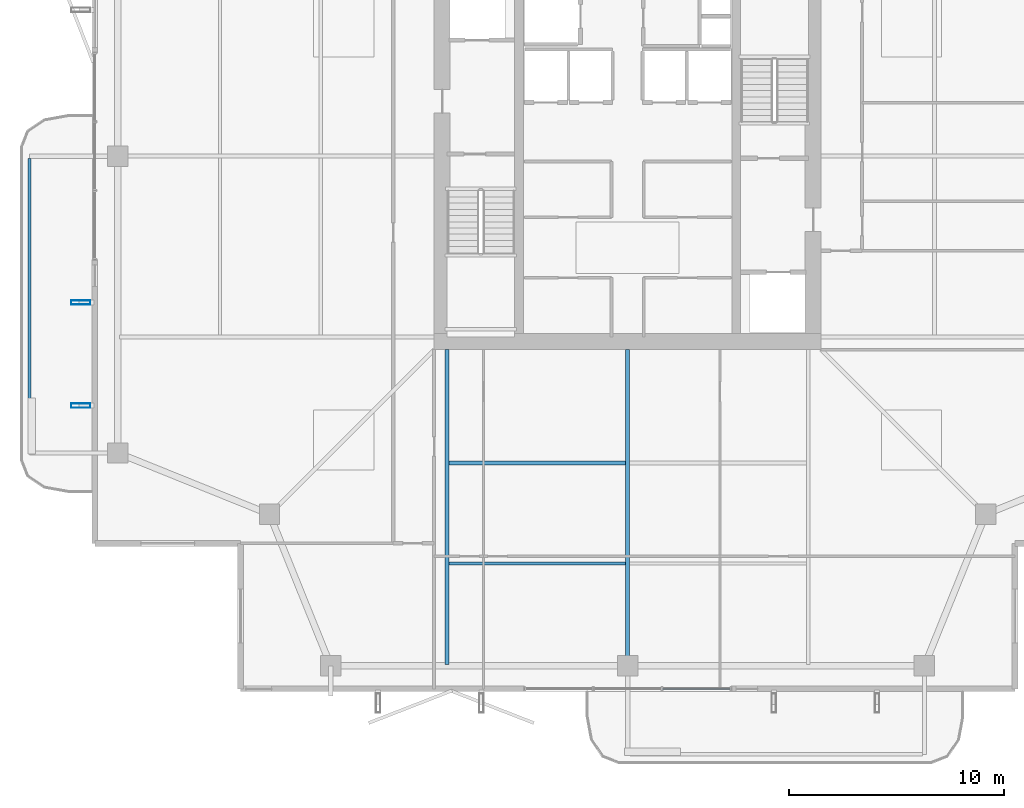
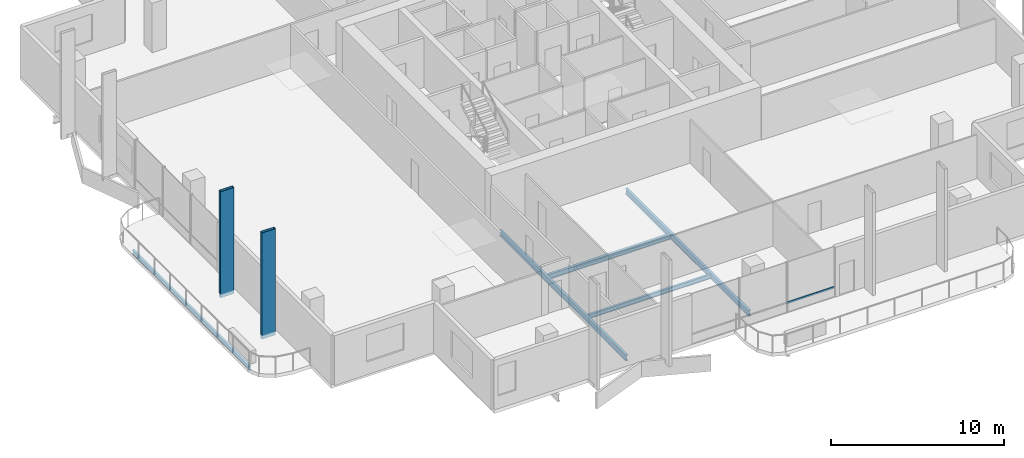
# One storey, part 3 of 25: 5 beams, 3 members, 1 element without a shape of its own.
"""IFC4 building model written with IfcOpenShell, lengths in metres."""

import ifcopenshell
import ifcopenshell.guid

model = None  # the IFC model being written
_history = None  # IfcOwnerHistory: only IFC2X3 demands one
_inside = {}  # id of a spatial element -> (the spatial element, [elements in it])
_under = {}  # id of a project, library or spatial element -> (it, [spatial elements below it])
_declared = {}  # id of a project -> (the project, [libraries it declares])
_typed = {}  # id of a type object -> (the type object, [elements of that type])
_made_of = {}  # id of a material, layer set ... -> (it, [elements and type objects made of it])


def new_model(schema):
    """Start an empty IFC model of exactly this schema.

    Asked for "IFC4X3", IfcOpenShell would pick the latest addendum, in which some entities
    have other attributes; the version numbers below select the first issue.
    IFC2X3 requires an IfcOwnerHistory on every rooted entity: one is made here for all.
    """
    global model, _history
    if schema == "IFC4X3":
        model = ifcopenshell.file(schema_version=(4, 3, 0, 0))
    else:
        model = ifcopenshell.file(schema=schema)
    _inside.clear()
    _under.clear()
    _declared.clear()
    _typed.clear()
    _made_of.clear()
    _history = None
    if model.schema == "IFC2X3":
        org = make("IfcOrganization", Name="unknown")
        user = make(
            "IfcPersonAndOrganization",
            ThePerson=make("IfcPerson", FamilyName="unknown"),
            TheOrganization=org,
        )
        app = make(
            "IfcApplication",
            ApplicationDeveloper=org,
            Version="unknown",
            ApplicationFullName="unknown",
            ApplicationIdentifier="unknown",
        )
        _history = make(
            "IfcOwnerHistory",
            OwningUser=user,
            OwningApplication=app,
            ChangeAction="ADDED",
            CreationDate=0,
        )
    return model


def make(cls, **values):
    """One entity of the class cls with the attributes given. An attribute that is None is left unset."""
    return model.create_entity(
        cls, **{name: value for name, value in values.items() if value is not None}
    )


def rooted(cls, **values):
    """An entity with a GlobalId (a new one), such as an element, a storey or a relation."""
    return make(cls, GlobalId=ifcopenshell.guid.new(), OwnerHistory=_history, **values)


def si_unit(unit_type, name, prefix=None):
    """IfcSIUnit, for example si_unit("LENGTHUNIT", "METRE", prefix="MILLI")."""
    return make("IfcSIUnit", UnitType=unit_type, Prefix=prefix, Name=name)


def assignment(units):
    """IfcUnitAssignment: the units of a project."""
    return None if units is None else make("IfcUnitAssignment", Units=units)


def point(xyz):
    """IfcCartesianPoint."""
    return None if xyz is None else make("IfcCartesianPoint", Coordinates=xyz)


def direction(xyz):
    """IfcDirection."""
    return None if xyz is None else make("IfcDirection", DirectionRatios=xyz)


def frame(location, z_axis=None, x_axis=None):
    """IfcAxis2Placement3D, a coordinate frame: its origin and axes. An axis left out is left unset."""
    return make(
        "IfcAxis2Placement3D",
        Location=point(location),
        Axis=direction(z_axis),
        RefDirection=direction(x_axis),
    )


def frame_2d(location, x_axis=None):
    """IfcAxis2Placement2D, a coordinate frame in the plane: its origin and x axis."""
    return make(
        "IfcAxis2Placement2D", Location=point(location), RefDirection=direction(x_axis)
    )


def origin():
    """The frame at (0, 0, 0) with its axes left unset."""
    return frame((0.0, 0.0, 0.0))


def origin_2d():
    """The frame at (0, 0) in the plane with its x axis left unset."""
    return frame_2d((0.0, 0.0))


def place(relative_to, where):
    """IfcLocalPlacement: puts the frame where relative to a parent placement (None: the world)."""
    return make(
        "IfcLocalPlacement", PlacementRelTo=relative_to, RelativePlacement=where
    )


def context(
    kind, dimensions, precision=None, world=None, true_north=None, identifier=None
):
    """IfcGeometricRepresentationContext, for example the 3D "Model" context."""
    return make(
        "IfcGeometricRepresentationContext",
        ContextIdentifier=identifier,
        ContextType=kind,
        CoordinateSpaceDimension=dimensions,
        Precision=precision,
        WorldCoordinateSystem=world,
        TrueNorth=true_north,
    )


def subcontext(parent, identifier, kind, view, scale=None):
    """IfcGeometricRepresentationSubContext, for example "Body" below "Model"."""
    return make(
        "IfcGeometricRepresentationSubContext",
        ContextIdentifier=identifier,
        ContextType=kind,
        ParentContext=parent,
        TargetScale=scale,
        TargetView=view,
    )


def project(units=None, contexts=None):
    """IfcProject with its units and contexts."""
    return rooted(
        "IfcProject",
        Name="project",
        RepresentationContexts=contexts,
        UnitsInContext=assignment(units),
    )


def spatial(cls, under=None, at=None, **own):
    """A site, building, storey or space (cls), placed at a placement, below another one or the project."""
    s = rooted(cls, ObjectPlacement=at, **own)
    if under is not None:
        _under.setdefault(under.id(), (under, []))[1].append(s)
    return s


def profile(cls, at=None, kind="AREA", **sizes):
    """A parametric profile (cls). Its sizes go by their IFC names, for example OverallWidth=200.0."""
    return make(cls, ProfileType=kind, Position=at, **sizes)


def hollow_rectangle(**sizes):
    """IfcRectangleHollowProfileDef."""
    return profile("IfcRectangleHollowProfileDef", **sizes)


def i_section(**sizes):
    """IfcIShapeProfileDef."""
    return profile("IfcIShapeProfileDef", **sizes)


def extrude(swept, where, along, depth):
    """IfcExtrudedAreaSolid: the profile swept, set in the frame where, extruded along a direction by depth."""
    return make(
        "IfcExtrudedAreaSolid",
        SweptArea=swept,
        Position=where,
        ExtrudedDirection=direction(along),
        Depth=depth,
    )


def shape(context_of_items, identifier, shape_type, items):
    """IfcShapeRepresentation: the items that make up one representation, for example the "Body"."""
    return make(
        "IfcShapeRepresentation",
        ContextOfItems=context_of_items,
        RepresentationIdentifier=identifier,
        RepresentationType=shape_type,
        Items=items,
    )


def material(Name=None, Category=None):
    """IfcMaterial."""
    return make("IfcMaterial", Name=Name, Category=Category)


def layer(
    of_material, thickness, ventilated=None, Name=None, Category=None, Priority=None
):
    """IfcMaterialLayer: one layer of a wall or slab, of a material (None: an air gap)."""
    return make(
        "IfcMaterialLayer",
        Material=of_material,
        LayerThickness=thickness,
        IsVentilated=ventilated,
        Name=Name,
        Category=Category,
        Priority=Priority,
    )


def layer_set(layers, Name=None):
    """IfcMaterialLayerSet."""
    return make("IfcMaterialLayerSet", MaterialLayers=layers, LayerSetName=Name)


def material_profile(
    of_material, cross_section, Name=None, Category=None, Priority=None
):
    """IfcMaterialProfile: a cross section and its material."""
    return make(
        "IfcMaterialProfile",
        Name=Name,
        Material=of_material,
        Profile=cross_section,
        Priority=Priority,
        Category=Category,
    )


def profile_set(profiles, Name=None, composite=None):
    """IfcMaterialProfileSet."""
    return make(
        "IfcMaterialProfileSet",
        Name=Name,
        MaterialProfiles=profiles,
        CompositeProfile=composite,
    )


def made_of(thing, what):
    """Note that an element or type object is made of a material, layer set ...; save() writes the relation."""
    if what is not None:
        _made_of.setdefault(what.id(), (what, []))[1].append(thing)
    return thing


def type_object(cls, material=None, **own):
    """A type object (cls), such as IfcWallType, which elements share."""
    return made_of(rooted(cls, **own), material)


def element(
    cls,
    number,
    at=None,
    inside=None,
    cuts=None,
    type_object=None,
    material=None,
    context=None,
    identifier="Body",
    shape_type=None,
    held_by="IfcProductDefinitionShape",
    body=None,
    shapes=None,
    **own,
):
    """One element of the class cls, such as IfcWall. Its Tag is "e" and its number.

    at: its placement. inside: the storey or other place that contains it. cuts: it is an
    opening in that element (IfcRelVoidsElement). A single representation is given by context,
    identifier, shape_type and body (its items); several are given by shapes. held_by: the class
    of the entity that holds the representations. save() writes the other relations.
    """
    e = rooted(cls, Tag="e%d" % number, ObjectPlacement=at, **own)
    if body is not None:
        shapes = [shape(context, identifier, shape_type, body)]
    if shapes is not None:
        e.Representation = make(held_by, Representations=shapes)
    if inside is not None:
        _inside.setdefault(inside.id(), (inside, []))[1].append(e)
    if cuts is not None:
        rooted(
            "IfcRelVoidsElement", RelatingBuildingElement=cuts, RelatedOpeningElement=e
        )
    if type_object is not None:
        _typed.setdefault(type_object.id(), (type_object, []))[1].append(e)
    return made_of(e, material)


def aggregate(whole, parts):
    """IfcRelAggregates: a whole, such as a stair, and the parts it consists of."""
    return rooted("IfcRelAggregates", RelatingObject=whole, RelatedObjects=parts)


def save(model, path):
    """Write the relations noted so far, then the file.

    IfcRelAggregates (storeys below a building ...), IfcRelContainedInSpatialStructure (elements
    in a storey), IfcRelDefinesByType, IfcRelAssociatesMaterial and IfcRelDeclares: one each for
    every whole, place, type object, material and project.
    """
    for whole, parts in _under.values():
        aggregate(whole, parts)
    for where, things in _inside.values():
        rooted(
            "IfcRelContainedInSpatialStructure",
            RelatedElements=things,
            RelatingStructure=where,
        )
    for kind, things in _typed.values():
        rooted("IfcRelDefinesByType", RelatedObjects=things, RelatingType=kind)
    for what, things in _made_of.values():
        rooted("IfcRelAssociatesMaterial", RelatedObjects=things, RelatingMaterial=what)
    for by, libraries in _declared.values():
        rooted("IfcRelDeclares", RelatingContext=by, RelatedDefinitions=libraries)
    model.write(path)


model = new_model("IFC4")

# Units and contexts
model_context = context("Model", 3, precision=1e-05, world=origin(), true_north=direction((0.0, 1.0)))
body_context = subcontext(model_context, "Body", "Model", "MODEL_VIEW")
ifc_project = project(units=[si_unit("LENGTHUNIT", "METRE"), si_unit("AREAUNIT", "SQUARE_METRE"), si_unit("VOLUMEUNIT", "CUBIC_METRE"), si_unit("PLANEANGLEUNIT", "RADIAN"), si_unit("MASSUNIT", "GRAM", prefix="KILO")], contexts=[model_context])

# Site, building, storey
site_placement = place(None, origin())
site = spatial("IfcSite", under=ifc_project, at=site_placement, CompositionType="ELEMENT")
building_placement = place(site_placement, origin())
building = spatial("IfcBuilding", under=site, at=building_placement, Name="Belovzor Exchange Tower", CompositionType="ELEMENT")
storey_placement = place(building_placement, frame((0.0, 0.0, 250.35009765625)))
storey = spatial("IfcBuildingStorey", under=building, at=storey_placement, Name="L62", CompositionType="ELEMENT", Elevation=250.35009765625)

# Beams
ifc_material_1 = material(Name="Steel S355", Category="steel")
ifc_material_profile_1 = material_profile(ifc_material_1, i_section(OverallWidth=0.14990234375, OverallDepth=0.300048828125, WebThickness=0.007080078125, FlangeThickness=0.0107421875, at=origin_2d()))
ifc_profile_set_1 = profile_set([ifc_material_profile_1], Name="Steel S355")
beam_type_1 = type_object("IfcBeamType", Name="Planted Balcony Fascia Edge Beam IPE 300", PredefinedType="BEAM", material=ifc_profile_set_1)
beam_1_placement = place(storey_placement, frame((0.989013671875, 28.699951171875, -0.400146484375), z_axis=(0.0, -1.0, 0.0), x_axis=(1.0, 0.0, 0.0)))
element("IfcBeam", 1, at=beam_1_placement, inside=storey, type_object=beam_type_1, Name="BC-300 Planted Balcony Fascia Edge Beam IPE 300", PredefinedType="BEAM", context=body_context, shape_type="SweptSolid", body=[
    extrude(i_section(OverallWidth=0.14990234375, OverallDepth=0.300048828125, WebThickness=0.007080078125, FlangeThickness=0.0107421875, at=origin_2d()), origin(), (0.0, 0.0, 1.0), 13.599853515625),
])
ifc_material_2 = material(Name="Steel S355", Category="steel")
ifc_material_profile_2 = material_profile(ifc_material_2, i_section(OverallWidth=0.169921875, OverallDepth=0.360107421875, WebThickness=0.008056640625, FlangeThickness=0.0126953125, at=origin_2d()))
ifc_profile_set_2 = profile_set([ifc_material_profile_2], Name="Steel S355")
beam_type_2 = type_object("IfcBeamType", Name="Secondary Infill Floor Joist IPE 360", PredefinedType="BEAM", material=ifc_profile_set_2)
beam_2_placement = place(storey_placement, frame((20.489990234375, 14.534912109375, -0.43017578125), z_axis=(1.0, 0.0, 0.0), x_axis=(0.0, 1.0, 0.0)))
element("IfcBeam", 2, at=beam_2_placement, inside=storey, type_object=beam_type_2, Name="FJ-360 Secondary Infill Floor Joist IPE 360", PredefinedType="BEAM", context=body_context, shape_type="SweptSolid", body=[
    extrude(i_section(OverallWidth=0.169921875, OverallDepth=0.360107421875, WebThickness=0.008056640625, FlangeThickness=0.0126953125, at=origin_2d()), origin(), (0.0, 0.0, 1.0), 8.219970703125),
])
ifc_material_3 = material(Name="Steel S355", Category="steel")
ifc_material_profile_3 = material_profile(ifc_material_3, i_section(OverallWidth=0.14990234375, OverallDepth=0.300048828125, WebThickness=0.007080078125, FlangeThickness=0.0107421875, at=origin_2d()))
ifc_profile_set_3 = profile_set([ifc_material_profile_3], Name="Steel S355")
beam_type_3 = type_object("IfcBeamType", Name="Secondary Trim Floor Joist IPE 300", PredefinedType="BEAM", material=ifc_profile_set_3)
beam_3_placement = place(storey_placement, frame((20.489990234375, 9.85498046875, -0.400146484375), z_axis=(1.0, 0.0, 0.0), x_axis=(0.0, 1.0, 0.0)))
element("IfcBeam", 3, at=beam_3_placement, inside=storey, type_object=beam_type_3, Name="FJ-300 Secondary Trim Floor Joist IPE 300", PredefinedType="BEAM", context=body_context, shape_type="SweptSolid", body=[
    extrude(i_section(OverallWidth=0.14990234375, OverallDepth=0.300048828125, WebThickness=0.007080078125, FlangeThickness=0.0107421875, at=origin_2d()), origin(), (0.0, 0.0, 1.0), 8.219970703125),
])

# Members
ifc_material_4 = material(Name="Extruded Architectural Terracotta on Steel S355 Carrier", Category="masonry")
ifc_material_profile_4 = material_profile(ifc_material_4, hollow_rectangle(XDim=0.199951171875, YDim=0.89990234375, WallThickness=0.011962890625, at=origin_2d()))
ifc_profile_set_4 = profile_set([ifc_material_profile_4], Name="Extruded Architectural Terracotta on Steel S355 Carrier")
member_type_1 = type_object("IfcMemberType", Name="Sweeping Terracotta Baguette Fin Assembly 950", PredefinedType="USERDEFINED", material=ifc_profile_set_4)
for number, where, z_axis, x_axis, name in (
    (4, (3.375, 17.199951171875, -0.25), (0.0, 0.0, 1.0), (0.0, 1.0, 0.0), "FIN-TC095 Terracotta Facade Fin L62 W1"),
    (5, (3.375, 22.0, -0.25), (0.0, 0.0, 1.0), (0.0, 1.0, 0.0), "FIN-TC095 Terracotta Facade Fin L62 W2"),
):
    element("IfcMember", number, at=place(storey_placement, frame(where, z_axis=z_axis, x_axis=x_axis)), inside=storey, type_object=member_type_1, Name=name, ObjectType="FIN", PredefinedType="USERDEFINED", context=body_context, shape_type="SweptSolid", body=[
        extrude(hollow_rectangle(XDim=0.199951171875, YDim=0.89990234375, WallThickness=0.011962890625, at=origin_2d()), origin(), (0.0, 0.0, 1.0), 7.5),
    ])

# Curtain wall, member
ifc_material_5 = material(Name="Anodised Aluminium Framing", Category="aluminium")
ifc_layer = layer(ifc_material_5, 0.179931640625)
ifc_layer_set = layer_set([ifc_layer], Name="Anodised Aluminium Framing")
curtain_wall_type = type_object("IfcCurtainWallType", Name="Recessed Loggia Low-Iron Triple-Glazed Curtain Wall", PredefinedType="NOTDEFINED", material=ifc_layer_set)
curtain_wall_placement = place(storey_placement, origin())
curtain_wall = element("IfcCurtainWall", 6, at=curtain_wall_placement, inside=storey, type_object=curtain_wall_type, Name="CW3 Recessed Loggia Low-Iron Triple-Glazed Curtain Wall L62", PredefinedType="NOTDEFINED")
ifc_material_6 = material(Name="Steel S355", Category="steel")
ifc_material_profile_5 = material_profile(ifc_material_6, hollow_rectangle(XDim=0.06005859375, YDim=0.14990234375, WallThickness=0.00390625, at=origin_2d()))
ifc_profile_set_5 = profile_set([ifc_material_profile_5], Name="Steel S355")
member_type_2 = type_object("IfcMemberType", Name="Thermally Broken Curtain Wall Transom 150x60", PredefinedType="USERDEFINED", material=ifc_profile_set_5)
member_placement = place(storey_placement, frame((33.592041015625, 4.030029296875, 0.6298828125), z_axis=(-1.0, 0.0, 0.0), x_axis=(0.0, -1.0, 0.0)))
member = element("IfcMember", 7, at=member_placement, type_object=member_type_2, Name="CW-T150 Curtain Wall Transom 1", ObjectType="TRANSOM", PredefinedType="USERDEFINED", context=body_context, shape_type="SweptSolid", body=[
    extrude(hollow_rectangle(XDim=0.06005859375, YDim=0.14990234375, WallThickness=0.00390625, at=origin_2d()), origin(), (0.0, 0.0, 1.0), 3.18408203125),
])
aggregate(curtain_wall, [member])

# Beams
ifc_material_7 = material(Name="Steel S355", Category="steel")
ifc_material_profile_6 = material_profile(ifc_material_7, i_section(OverallWidth=0.179931640625, OverallDepth=0.39990234375, WebThickness=0.008544921875, FlangeThickness=0.013427734375, at=origin_2d()))
ifc_profile_set_6 = profile_set([ifc_material_profile_6], Name="Steel S355")
beam_type_4 = type_object("IfcBeamType", Name="Zone 5-6 Radial Composite Floor Beam IPE 400", PredefinedType="BEAM", material=ifc_profile_set_6)
beam_4_placement = place(storey_placement, frame((20.39990234375, 19.800048828125, -0.4501953125), z_axis=(0.0, -1.0, 0.0), x_axis=(1.0, 0.0, 0.0)))
element("IfcBeam", 8, at=beam_4_placement, inside=storey, type_object=beam_type_4, Name="FB-400 Zone 5-6 Radial Composite Floor Beam IPE 400", PredefinedType="BEAM", context=body_context, shape_type="SweptSolid", body=[
    extrude(i_section(OverallWidth=0.179931640625, OverallDepth=0.39990234375, WebThickness=0.008544921875, FlangeThickness=0.013427734375, at=origin_2d()), origin(), (0.0, 0.0, 1.0), 14.625),
])
beam_5_placement = place(storey_placement, frame((28.800048828125, 19.800048828125, -0.4501953125), z_axis=(0.0, -1.0, 0.0), x_axis=(1.0, 0.0, 0.0)))
element("IfcBeam", 9, at=beam_5_placement, inside=storey, type_object=beam_type_4, Name="FB-400 Zone 5-6 Radial Composite Floor Beam IPE 400", PredefinedType="BEAM", context=body_context, shape_type="SweptSolid", body=[
    extrude(i_section(OverallWidth=0.179931640625, OverallDepth=0.39990234375, WebThickness=0.008544921875, FlangeThickness=0.013427734375, at=origin_2d()), origin(), (0.0, 0.0, 1.0), 14.281982421875),
])

save(model, "model.ifc")
